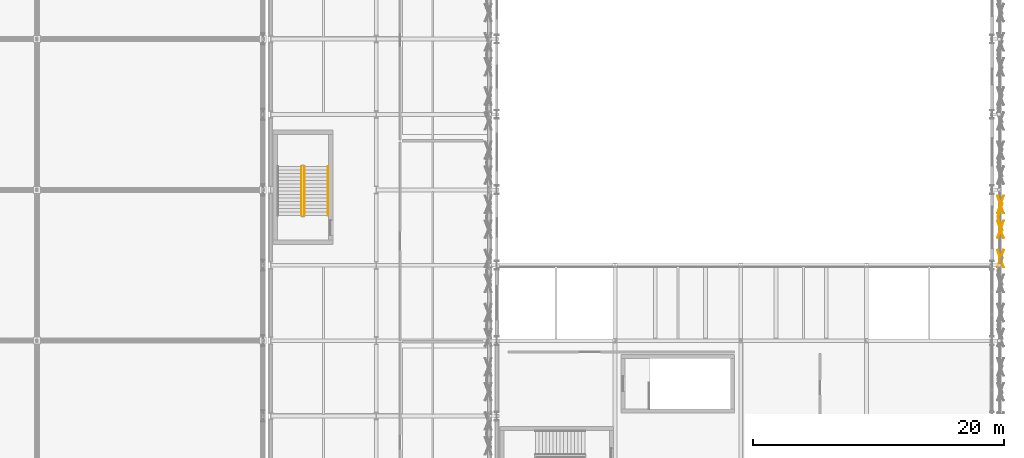
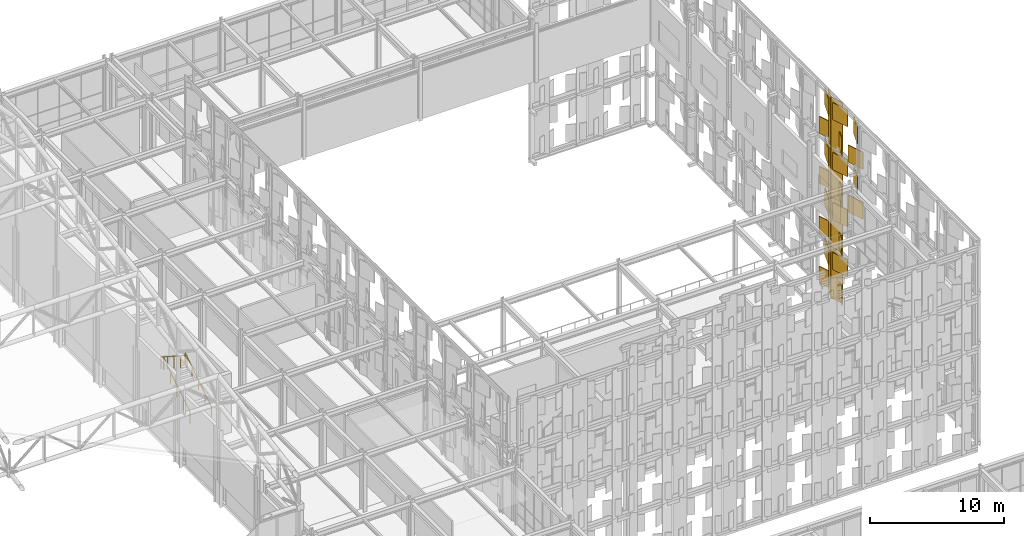
# One storey, part 234 of 239: 28 coverings, 3 railings.
"""IFC4 building model written with IfcOpenShell, lengths in metres."""

from ifc_helpers import new_model, si_unit, direction, frame, origin, origin_2d, place, context, subcontext, project, spatial, rectangle, circle, extrude, material, layer, layer_set, type_object, element, save


model = new_model("IFC4")

# Units and contexts
model_context = context("Model", 3, precision=1e-05, world=origin(), true_north=direction((0.0, 1.0)))
body_context = subcontext(model_context, "Body", "Model", "MODEL_VIEW")
ifc_project = project(units=[si_unit("LENGTHUNIT", "METRE"), si_unit("AREAUNIT", "SQUARE_METRE"), si_unit("VOLUMEUNIT", "CUBIC_METRE"), si_unit("PLANEANGLEUNIT", "RADIAN"), si_unit("MASSUNIT", "GRAM", prefix="KILO")], contexts=[model_context])

# Site, building, storey
site_placement = place(None, origin())
site = spatial("IfcSite", under=ifc_project, at=site_placement, CompositionType="ELEMENT")
building_placement = place(site_placement, origin())
building = spatial("IfcBuilding", under=site, at=building_placement, Name="Kaldris Quays Convention Centre", CompositionType="ELEMENT")
storey_placement = place(building_placement, frame((0.0, 0.0, 11.39990234375)))
storey = spatial("IfcBuildingStorey", under=building, at=storey_placement, Name="L02", CompositionType="ELEMENT", Elevation=11.39990234375)

# Railings
ifc_material_1 = material(Name="Steel S355J2", Category="steel")
railing_type_1 = type_object("IfcRailingType", Name="INTERIOR GUARDRAIL GR01", PredefinedType="GUARDRAIL", material=ifc_material_1)
railing_1_placement = place(storey_placement, frame((149.300048828125, 77.949951171875, 0.18017578125)))
element("IfcRailing", 1, at=railing_1_placement, inside=storey, type_object=railing_type_1, Name="L02 ST14 Stair Guardrail 1", PredefinedType="GUARDRAIL", context=body_context, shape_type="SweptSolid", body=[
    extrude(circle(Radius=0.02392578125, at=origin_2d()), frame((0.0, 0.0, 1.076171875), z_axis=(0.0, 0.841186985886, 0.540744352514), x_axis=(-1.0, 0.0, 0.0)), (0.0, 0.0, 1.0), 4.660400390625),
    extrude(circle(Radius=0.02099609375, at=origin_2d()), origin(), (0.0, 0.0, 1.0), 1.052001953125),
    extrude(circle(Radius=0.02099609375, at=origin_2d()), frame((0.0, 0.97998046875, 0.6298828125)), (0.0, 0.0, 1.0), 1.052001953125),
    extrude(circle(Radius=0.02099609375, at=origin_2d()), frame((0.0, 1.9599609375, 1.260009765625)), (0.0, 0.0, 1.0), 1.052001953125),
    extrude(circle(Radius=0.02099609375, at=origin_2d()), frame((0.0, 2.940185546875, 1.89013671875)), (0.0, 0.0, 1.0), 1.052001953125),
    extrude(circle(Radius=0.02099609375, at=origin_2d()), frame((0.0, 3.920166015625, 2.52001953125)), (0.0, 0.0, 1.0), 1.052001953125),
])
railing_2_placement = place(storey_placement, frame((149.050048828125, 81.8701171875, 2.880126953125)))
element("IfcRailing", 2, at=railing_2_placement, inside=storey, type_object=railing_type_1, Name="L02 ST14 Stair Guardrail 3", PredefinedType="GUARDRAIL", context=body_context, shape_type="SweptSolid", body=[
    extrude(circle(Radius=0.02392578125, at=origin_2d()), frame((0.0, 0.0, 1.076171875), z_axis=(0.0, -0.841186985886, 0.540744352514), x_axis=(1.0, 0.0, 0.0)), (0.0, 0.0, 1.0), 4.660400390625),
    extrude(circle(Radius=0.02099609375, at=origin_2d()), origin(), (0.0, 0.0, 1.0), 1.052001953125),
    extrude(circle(Radius=0.02099609375, at=origin_2d()), frame((0.0, -0.97998046875, 0.6298828125)), (0.0, 0.0, 1.0), 1.052001953125),
    extrude(circle(Radius=0.02099609375, at=origin_2d()), frame((0.0, -1.9599609375, 1.260009765625)), (0.0, 0.0, 1.0), 1.052001953125),
    extrude(circle(Radius=0.02099609375, at=origin_2d()), frame((0.0, -2.940185546875, 1.89013671875)), (0.0, 0.0, 1.0), 1.052001953125),
    extrude(circle(Radius=0.02099609375, at=origin_2d()), frame((0.0, -3.920166015625, 2.52001953125)), (0.0, 0.0, 1.0), 1.052001953125),
])
ifc_material_2 = material(Name="Stainless steel 1.4301", Category="steel")
railing_type_2 = type_object("IfcRailingType", Name="STAIR HANDRAIL HR01", PredefinedType="HANDRAIL", material=ifc_material_2)
railing_3_placement = place(storey_placement, frame((151.14990234375, 77.949951171875, 0.18017578125)))
element("IfcRailing", 3, at=railing_3_placement, inside=storey, type_object=railing_type_2, Name="L02 ST14 Flight Handrail 1", PredefinedType="HANDRAIL", context=body_context, shape_type="SweptSolid", body=[
    extrude(circle(Radius=0.02392578125, at=origin_2d()), frame((0.0, 0.0, 0.8759765625), z_axis=(0.0, 0.841186985886, 0.540744352514), x_axis=(-1.0, 0.0, 0.0)), (0.0, 0.0, 1.0), 4.660400390625),
    extrude(circle(Radius=0.02099609375, at=origin_2d()), origin(), (0.0, 0.0, 1.0), 0.851806640625),
    extrude(circle(Radius=0.02099609375, at=origin_2d()), frame((0.0, 0.97998046875, 0.6298828125)), (0.0, 0.0, 1.0), 0.851806640625),
    extrude(circle(Radius=0.02099609375, at=origin_2d()), frame((0.0, 1.9599609375, 1.260009765625)), (0.0, 0.0, 1.0), 0.851806640625),
    extrude(circle(Radius=0.02099609375, at=origin_2d()), frame((0.0, 2.940185546875, 1.89013671875)), (0.0, 0.0, 1.0), 0.851806640625),
    extrude(circle(Radius=0.02099609375, at=origin_2d()), frame((0.0, 3.920166015625, 2.52001953125)), (0.0, 0.0, 1.0), 0.851806640625),
])

# Coverings
ifc_material_3 = material(Name="Alabaster white star-pierced anodized aluminium panel", Category="aluminium")
ifc_layer = layer(ifc_material_3, 0.044921875)
ifc_layer_set = layer_set([ifc_layer], Name="Alabaster white star-pierced anodized aluminium panel")
covering_type = type_object("IfcCoveringType", Name="STAR PIERCED WHITE FOLDED SCREEN CL01", PredefinedType="CLADDING", material=ifc_layer_set)
covering_1_placement = place(storey_placement, frame((204.659912109375, 77.285400390625, -7.60986328125), z_axis=(0.0, 0.0, 1.0), x_axis=(-0.325568154457, 0.945518575599, 0.0)))
element("IfcCovering", 4, at=covering_1_placement, inside=storey, type_object=covering_type, Name="V2E Folded White Screen Stile 1969", PredefinedType="CLADDING", context=body_context, shape_type="SweptSolid", body=[
    extrude(rectangle(XDim=1.093994140625, YDim=0.054931640625, at=origin_2d()), origin(), (0.0, 0.0, 1.0), 4.669921875),
])
for number, where, z_axis, x_axis, name in (
    (5, (204.679931640625, 76.8544921875, -7.27685546875), (0.0, 0.0, 1.0), (0.325568154457, 0.945518575599, 0.0), "V2E Carved Star Corner Facet 1972"),
    (6, (204.679931640625, 76.8544921875, -4.81982421875), (0.0, 0.0, 1.0), (-0.325568154457, 0.945518575599, 0.0), "V2E Carved Star Corner Facet 1973"),
):
    element("IfcCovering", number, at=place(storey_placement, frame(where, z_axis=z_axis, x_axis=x_axis)), inside=storey, type_object=covering_type, Name=name, PredefinedType="CLADDING", context=body_context, shape_type="SweptSolid", body=[
        extrude(rectangle(XDim=1.465087890625, YDim=0.06494140625, at=origin_2d()), origin(), (0.0, 0.0, 1.0), 1.547119140625),
    ])
covering_2_placement = place(storey_placement, frame((204.659912109375, 77.285400390625, -3.059814453125), z_axis=(0.0, 0.0, 1.0), x_axis=(-0.325568154457, 0.945518575599, 0.0)))
element("IfcCovering", 7, at=covering_2_placement, inside=storey, type_object=covering_type, Name="V2E Folded White Screen Stile 1975", PredefinedType="CLADDING", context=body_context, shape_type="SweptSolid", body=[
    extrude(rectangle(XDim=1.093994140625, YDim=0.054931640625, at=origin_2d()), origin(), (0.0, 0.0, 1.0), 4.669921875),
])
for number, where, z_axis, x_axis, name in (
    (8, (204.679931640625, 76.8544921875, -2.72705078125), (0.0, 0.0, 1.0), (0.325568154457, 0.945518575599, 0.0), "V2E Carved Star Corner Facet 1978"),
    (9, (204.679931640625, 76.8544921875, -0.27001953125), (0.0, 0.0, 1.0), (-0.325568154457, 0.945518575599, 0.0), "V2E Carved Star Corner Facet 1979"),
):
    element("IfcCovering", number, at=place(storey_placement, frame(where, z_axis=z_axis, x_axis=x_axis)), inside=storey, type_object=covering_type, Name=name, PredefinedType="CLADDING", context=body_context, shape_type="SweptSolid", body=[
        extrude(rectangle(XDim=1.465087890625, YDim=0.06494140625, at=origin_2d()), origin(), (0.0, 0.0, 1.0), 1.547119140625),
    ])
covering_3_placement = place(storey_placement, frame((204.659912109375, 77.285400390625, 1.490234375), z_axis=(0.0, 0.0, 1.0), x_axis=(-0.325568154457, 0.945518575599, 0.0)))
element("IfcCovering", 10, at=covering_3_placement, inside=storey, type_object=covering_type, Name="V2E Folded White Screen Stile 1981", PredefinedType="CLADDING", context=body_context, shape_type="SweptSolid", body=[
    extrude(rectangle(XDim=1.093994140625, YDim=0.054931640625, at=origin_2d()), origin(), (0.0, 0.0, 1.0), 4.669921875),
])
for number, where, z_axis, x_axis, name in (
    (11, (204.679931640625, 74.527587890625, 1.8232421875), (0.0, 0.0, 1.0), (-0.325568154457, 0.945518575599, 0.0), "V2E Carved Star Corner Facet 1982"),
    (12, (204.679931640625, 74.527587890625, 4.2802734375), (0.0, 0.0, 1.0), (0.325568154457, 0.945518575599, 0.0), "V2E Carved Star Corner Facet 1983"),
    (13, (204.679931640625, 76.8544921875, 1.8232421875), (0.0, 0.0, 1.0), (0.325568154457, 0.945518575599, 0.0), "V2E Carved Star Corner Facet 1984"),
    (14, (204.679931640625, 76.8544921875, 4.2802734375), (0.0, 0.0, 1.0), (-0.325568154457, 0.945518575599, 0.0), "V2E Carved Star Corner Facet 1985"),
):
    element("IfcCovering", number, at=place(storey_placement, frame(where, z_axis=z_axis, x_axis=x_axis)), inside=storey, type_object=covering_type, Name=name, PredefinedType="CLADDING", context=body_context, shape_type="SweptSolid", body=[
        extrude(rectangle(XDim=1.465087890625, YDim=0.06494140625, at=origin_2d()), origin(), (0.0, 0.0, 1.0), 1.547119140625),
    ])
covering_4_placement = place(storey_placement, frame((204.659912109375, 77.285400390625, 6.0400390625), z_axis=(0.0, 0.0, 1.0), x_axis=(-0.325568154457, 0.945518575599, 0.0)))
element("IfcCovering", 15, at=covering_4_placement, inside=storey, type_object=covering_type, Name="V2E Folded White Screen Stile 1987", PredefinedType="CLADDING", context=body_context, shape_type="SweptSolid", body=[
    extrude(rectangle(XDim=1.093994140625, YDim=0.054931640625, at=origin_2d()), origin(), (0.0, 0.0, 1.0), 4.669921875),
])
for number, where, z_axis, x_axis, name in (
    (16, (204.679931640625, 74.527587890625, 6.373046875), (0.0, 0.0, 1.0), (-0.325568154457, 0.945518575599, 0.0), "V2E Carved Star Corner Facet 1988"),
    (17, (204.679931640625, 74.527587890625, 8.830078125), (0.0, 0.0, 1.0), (0.325568154457, 0.945518575599, 0.0), "V2E Carved Star Corner Facet 1989"),
    (18, (204.679931640625, 76.8544921875, 6.373046875), (0.0, 0.0, 1.0), (0.325568154457, 0.945518575599, 0.0), "V2E Carved Star Corner Facet 1990"),
    (19, (204.679931640625, 76.8544921875, 8.830078125), (0.0, 0.0, 1.0), (-0.325568154457, 0.945518575599, 0.0), "V2E Carved Star Corner Facet 1991"),
):
    element("IfcCovering", number, at=place(storey_placement, frame(where, z_axis=z_axis, x_axis=x_axis)), inside=storey, type_object=covering_type, Name=name, PredefinedType="CLADDING", context=body_context, shape_type="SweptSolid", body=[
        extrude(rectangle(XDim=1.465087890625, YDim=0.06494140625, at=origin_2d()), origin(), (0.0, 0.0, 1.0), 1.547119140625),
    ])
covering_5_placement = place(storey_placement, frame((204.659912109375, 78.405517578125, -7.60986328125), z_axis=(0.0, 0.0, 1.0), x_axis=(0.325568154457, 0.945518575599, 0.0)))
element("IfcCovering", 20, at=covering_5_placement, inside=storey, type_object=covering_type, Name="V2E Folded White Screen Stile 1992", PredefinedType="CLADDING", context=body_context, shape_type="SweptSolid", body=[
    extrude(rectangle(XDim=1.093994140625, YDim=0.054931640625, at=origin_2d()), origin(), (0.0, 0.0, 1.0), 4.669921875),
])
for number, where, z_axis, x_axis, name in (
    (21, (204.679931640625, 78.83642578125, -7.27685546875), (0.0, 0.0, 1.0), (-0.325568154457, 0.945518575599, 0.0), "V2E Carved Star Corner Facet 1994"),
    (22, (204.679931640625, 78.83642578125, -4.81982421875), (0.0, 0.0, 1.0), (0.325568154457, 0.945518575599, 0.0), "V2E Carved Star Corner Facet 1995"),
):
    element("IfcCovering", number, at=place(storey_placement, frame(where, z_axis=z_axis, x_axis=x_axis)), inside=storey, type_object=covering_type, Name=name, PredefinedType="CLADDING", context=body_context, shape_type="SweptSolid", body=[
        extrude(rectangle(XDim=1.465087890625, YDim=0.06494140625, at=origin_2d()), origin(), (0.0, 0.0, 1.0), 1.547119140625),
    ])
covering_6_placement = place(storey_placement, frame((204.659912109375, 78.405517578125, -3.059814453125), z_axis=(0.0, 0.0, 1.0), x_axis=(0.325568154457, 0.945518575599, 0.0)))
element("IfcCovering", 23, at=covering_6_placement, inside=storey, type_object=covering_type, Name="V2E Folded White Screen Stile 1998", PredefinedType="CLADDING", context=body_context, shape_type="SweptSolid", body=[
    extrude(rectangle(XDim=1.093994140625, YDim=0.054931640625, at=origin_2d()), origin(), (0.0, 0.0, 1.0), 4.669921875),
])
for number, where, z_axis, x_axis, name in (
    (24, (204.679931640625, 78.83642578125, -2.72705078125), (0.0, 0.0, 1.0), (-0.325568154457, 0.945518575599, 0.0), "V2E Carved Star Corner Facet 2000"),
    (25, (204.679931640625, 78.83642578125, -0.27001953125), (0.0, 0.0, 1.0), (0.325568154457, 0.945518575599, 0.0), "V2E Carved Star Corner Facet 2001"),
):
    element("IfcCovering", number, at=place(storey_placement, frame(where, z_axis=z_axis, x_axis=x_axis)), inside=storey, type_object=covering_type, Name=name, PredefinedType="CLADDING", context=body_context, shape_type="SweptSolid", body=[
        extrude(rectangle(XDim=1.465087890625, YDim=0.06494140625, at=origin_2d()), origin(), (0.0, 0.0, 1.0), 1.547119140625),
    ])
covering_7_placement = place(storey_placement, frame((204.659912109375, 78.405517578125, 1.490234375), z_axis=(0.0, 0.0, 1.0), x_axis=(0.325568154457, 0.945518575599, 0.0)))
element("IfcCovering", 26, at=covering_7_placement, inside=storey, type_object=covering_type, Name="V2E Folded White Screen Stile 2004", PredefinedType="CLADDING", context=body_context, shape_type="SweptSolid", body=[
    extrude(rectangle(XDim=1.093994140625, YDim=0.054931640625, at=origin_2d()), origin(), (0.0, 0.0, 1.0), 4.669921875),
])
for number, where, z_axis, x_axis, name in (
    (27, (204.679931640625, 78.83642578125, 1.8232421875), (0.0, 0.0, 1.0), (-0.325568154457, 0.945518575599, 0.0), "V2E Carved Star Corner Facet 2006"),
    (28, (204.679931640625, 78.83642578125, 4.2802734375), (0.0, 0.0, 1.0), (0.325568154457, 0.945518575599, 0.0), "V2E Carved Star Corner Facet 2007"),
):
    element("IfcCovering", number, at=place(storey_placement, frame(where, z_axis=z_axis, x_axis=x_axis)), inside=storey, type_object=covering_type, Name=name, PredefinedType="CLADDING", context=body_context, shape_type="SweptSolid", body=[
        extrude(rectangle(XDim=1.465087890625, YDim=0.06494140625, at=origin_2d()), origin(), (0.0, 0.0, 1.0), 1.547119140625),
    ])
covering_8_placement = place(storey_placement, frame((204.659912109375, 78.405517578125, 6.0400390625), z_axis=(0.0, 0.0, 1.0), x_axis=(0.325568154457, 0.945518575599, 0.0)))
element("IfcCovering", 29, at=covering_8_placement, inside=storey, type_object=covering_type, Name="V2E Folded White Screen Stile 2010", PredefinedType="CLADDING", context=body_context, shape_type="SweptSolid", body=[
    extrude(rectangle(XDim=1.093994140625, YDim=0.054931640625, at=origin_2d()), origin(), (0.0, 0.0, 1.0), 4.669921875),
])
for number, where, z_axis, x_axis, name in (
    (30, (204.679931640625, 78.83642578125, 6.373046875), (0.0, 0.0, 1.0), (-0.325568154457, 0.945518575599, 0.0), "V2E Carved Star Corner Facet 2012"),
    (31, (204.679931640625, 78.83642578125, 8.830078125), (0.0, 0.0, 1.0), (0.325568154457, 0.945518575599, 0.0), "V2E Carved Star Corner Facet 2013"),
):
    element("IfcCovering", number, at=place(storey_placement, frame(where, z_axis=z_axis, x_axis=x_axis)), inside=storey, type_object=covering_type, Name=name, PredefinedType="CLADDING", context=body_context, shape_type="SweptSolid", body=[
        extrude(rectangle(XDim=1.465087890625, YDim=0.06494140625, at=origin_2d()), origin(), (0.0, 0.0, 1.0), 1.547119140625),
    ])

save(model, "model.ifc")
